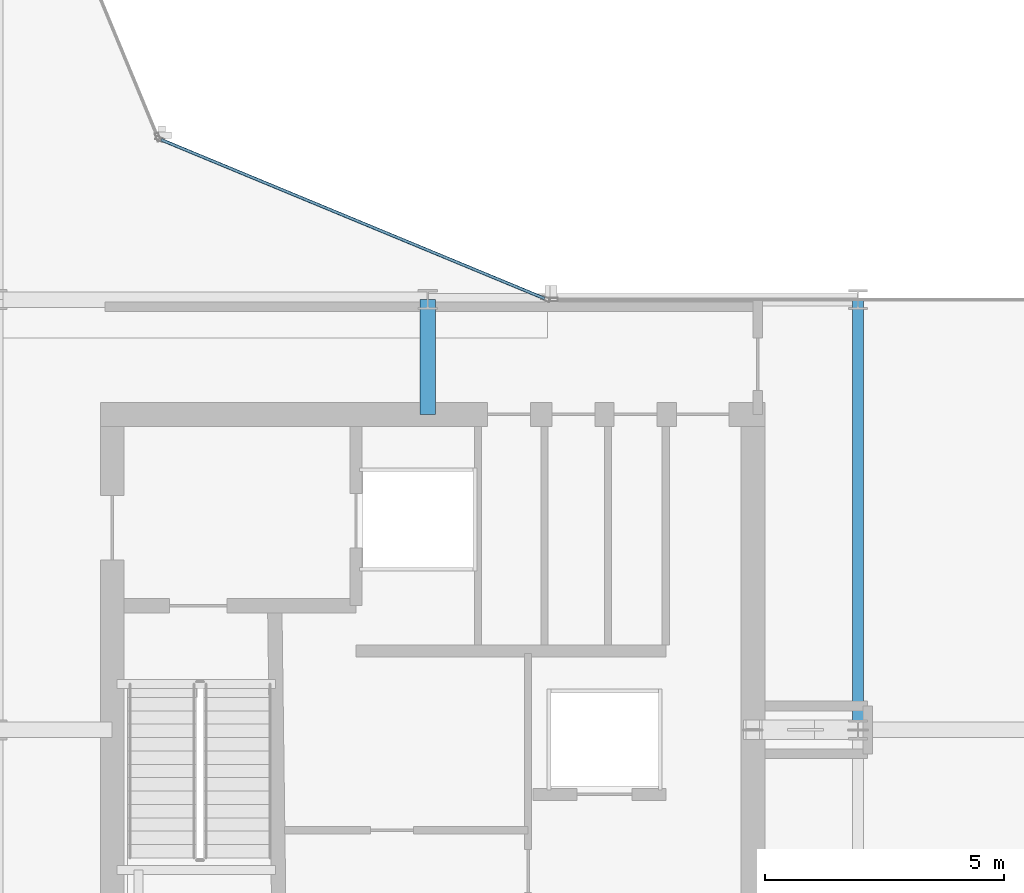
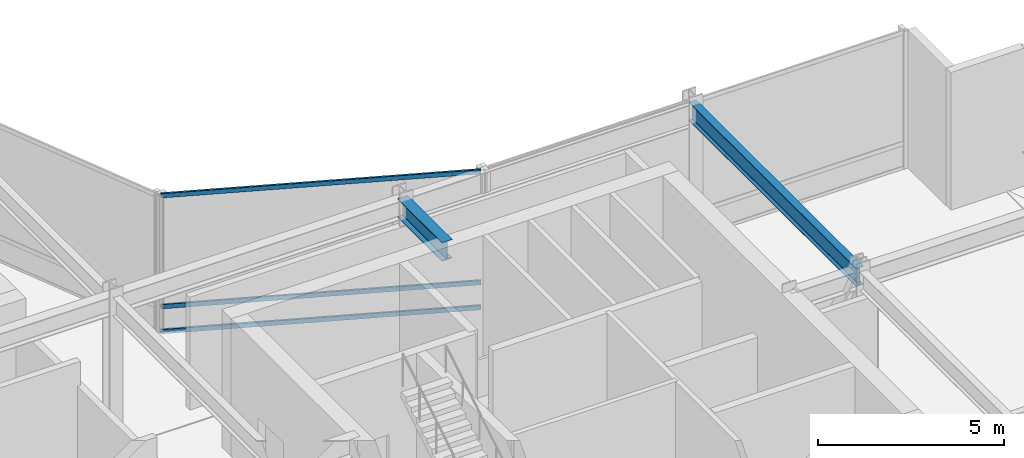
# One storey, part 12 of 30: 3 members, 2 beams, 1 element without a shape of its own.
"""IFC4 building model written with IfcOpenShell, lengths in metres."""

from ifc_helpers import new_model, si_unit, direction, frame, origin, origin_2d, place, context, subcontext, project, spatial, hollow_rectangle, i_section, extrude, material, layer, layer_set, material_profile, profile_set, type_object, element, aggregate, save


model = new_model("IFC4")

# Units and contexts
model_context = context("Model", 3, precision=1e-05, world=origin(), true_north=direction((0.0, 1.0)))
body_context = subcontext(model_context, "Body", "Model", "MODEL_VIEW")
ifc_project = project(units=[si_unit("LENGTHUNIT", "METRE"), si_unit("AREAUNIT", "SQUARE_METRE"), si_unit("VOLUMEUNIT", "CUBIC_METRE"), si_unit("PLANEANGLEUNIT", "RADIAN"), si_unit("MASSUNIT", "GRAM", prefix="KILO")], contexts=[model_context])

# Site, building, storey
site_placement = place(None, origin())
site = spatial("IfcSite", under=ifc_project, at=site_placement, CompositionType="ELEMENT")
building_placement = place(site_placement, origin())
building = spatial("IfcBuilding", under=site, at=building_placement, Name="Solvaryn Broadcast Tower", CompositionType="ELEMENT")
storey_placement = place(building_placement, frame((0.0, 0.0, 196.39990234375)))
storey = spatial("IfcBuildingStorey", under=building, at=storey_placement, Name="L49", CompositionType="ELEMENT", Elevation=196.39990234375)

# Beams
ifc_material_1 = material(Name="Steel ASTM A992 Grade 50", Category="steel")
ifc_material_profile_1 = material_profile(ifc_material_1, i_section(OverallWidth=0.323974609375, OverallDepth=0.611083984375, WebThickness=0.0126953125, FlangeThickness=0.01904296875, FilletRadius=0.014892578125, at=origin_2d()))
ifc_profile_set_1 = profile_set([ifc_material_profile_1], Name="Steel ASTM A992 Grade 50")
beam_type_1 = type_object("IfcBeamType", Name="BM-B1-W24X104", PredefinedType="BEAM", material=ifc_profile_set_1)
beam_1_placement = place(storey_placement, frame((36.0, 24.60009765625, 4.214599609375), z_axis=(0.0, 1.0, 0.0), x_axis=(-1.0, 0.0, 0.0)))
element("IfcBeam", 1, at=beam_1_placement, inside=storey, type_object=beam_type_1, Name="L49 Core Tie Beam CTE2", PredefinedType="BEAM", context=body_context, shape_type="SweptSolid", body=[
    extrude(i_section(OverallWidth=0.323974609375, OverallDepth=0.611083984375, WebThickness=0.0126953125, FlangeThickness=0.01904296875, FilletRadius=0.014892578125, at=origin_2d()), origin(), (0.0, 0.0, 1.0), 2.39990234375),
])
ifc_material_2 = material(Name="Steel ASTM A992 Grade 50", Category="steel")
ifc_material_profile_2 = material_profile(ifc_material_2, i_section(OverallWidth=0.22802734375, OverallDepth=0.60791015625, WebThickness=0.01123046875, FlangeThickness=0.017333984375, FilletRadius=0.014892578125, at=origin_2d()))
ifc_profile_set_2 = profile_set([ifc_material_profile_2], Name="Steel ASTM A992 Grade 50")
beam_type_2 = type_object("IfcBeamType", Name="BM-B2-W24X76", PredefinedType="BEAM", material=ifc_profile_set_2)
beam_2_placement = place(storey_placement, frame((45.0, 18.0, 4.216064453125), z_axis=(0.0, 1.0, 0.0), x_axis=(-1.0, 0.0, 0.0)))
element("IfcBeam", 2, at=beam_2_placement, inside=storey, type_object=beam_type_2, Name="L49 Primary Beam Y (18-27 @ X=45)", PredefinedType="BEAM", context=body_context, shape_type="SweptSolid", body=[
    extrude(i_section(OverallWidth=0.22802734375, OverallDepth=0.60791015625, WebThickness=0.01123046875, FlangeThickness=0.017333984375, FilletRadius=0.014892578125, at=origin_2d()), origin(), (0.0, 0.0, 1.0), 9.0),
])

# Curtain wall, members
ifc_material_3 = material(Name="Aluminium and Terracotta Unitised Curtain Wall", Category="masonry")
ifc_layer = layer(ifc_material_3, 0.199951171875)
ifc_layer_set = layer_set([ifc_layer], Name="CW-SYS2-LOWMID")
curtain_wall_type = type_object("IfcCurtainWallType", Name="CW-SYS2-LOWMID", PredefinedType="NOTDEFINED", material=ifc_layer_set)
curtain_wall_placement = place(storey_placement, origin())
curtain_wall = element("IfcCurtainWall", 3, at=curtain_wall_placement, inside=storey, type_object=curtain_wall_type, Name="L49 Curtain Wall CN1", PredefinedType="NOTDEFINED")
ifc_material_4 = material(Name="Anodised Aluminium 6063-T6", Category="aluminium")
ifc_material_profile_3 = material_profile(ifc_material_4, hollow_rectangle(XDim=0.06494140625, YDim=0.14990234375, WallThickness=0.00390625, InnerFilletRadius=0.00390625, OuterFilletRadius=0.008056640625, at=origin_2d()))
ifc_profile_set_3 = profile_set([ifc_material_profile_3], Name="Anodised Aluminium 6063-T6")
member_type = type_object("IfcMemberType", Name="CW-TRN-150", PredefinedType="USERDEFINED", material=ifc_profile_set_3)
member_1_placement = place(storey_placement, frame((38.444580078125, 27.02294921875, 0.030029296875), z_axis=(-0.923899282177, 0.382635748975, 0.0), x_axis=(-0.382635748975, -0.923899282177, 0.0)))
member_1 = element("IfcMember", 4, at=member_1_placement, type_object=member_type, Name="CWS2 transom 1.1", ObjectType="TRANSOM", PredefinedType="USERDEFINED", context=body_context, shape_type="SweptSolid", body=[
    extrude(hollow_rectangle(XDim=0.06494140625, YDim=0.14990234375, WallThickness=0.00390625, InnerFilletRadius=0.00390625, OuterFilletRadius=0.008056640625, at=origin_2d()), origin(), (0.0, 0.0, 1.0), 8.681884765625),
])
member_2_placement = place(storey_placement, frame((38.444580078125, 27.02294921875, 0.85009765625), z_axis=(-0.923899282177, 0.382635748975, 0.0), x_axis=(-0.382635748975, -0.923899282177, 0.0)))
member_2 = element("IfcMember", 5, at=member_2_placement, type_object=member_type, Name="CWS2 transom 1.2", ObjectType="TRANSOM", PredefinedType="USERDEFINED", context=body_context, shape_type="SweptSolid", body=[
    extrude(hollow_rectangle(XDim=0.06494140625, YDim=0.14990234375, WallThickness=0.00390625, InnerFilletRadius=0.00390625, OuterFilletRadius=0.008056640625, at=origin_2d()), origin(), (0.0, 0.0, 1.0), 8.681884765625),
])
member_3_placement = place(storey_placement, frame((38.444580078125, 27.02294921875, 4.489990234375), z_axis=(-0.923899282177, 0.382635748975, 0.0), x_axis=(-0.382635748975, -0.923899282177, 0.0)))
member_3 = element("IfcMember", 6, at=member_3_placement, type_object=member_type, Name="CWS2 transom 1.3", ObjectType="TRANSOM", PredefinedType="USERDEFINED", context=body_context, shape_type="SweptSolid", body=[
    extrude(hollow_rectangle(XDim=0.06494140625, YDim=0.14990234375, WallThickness=0.00390625, InnerFilletRadius=0.00390625, OuterFilletRadius=0.008056640625, at=origin_2d()), origin(), (0.0, 0.0, 1.0), 8.681884765625),
])
aggregate(curtain_wall, [member_1, member_2, member_3])

save(model, "model.ifc")
